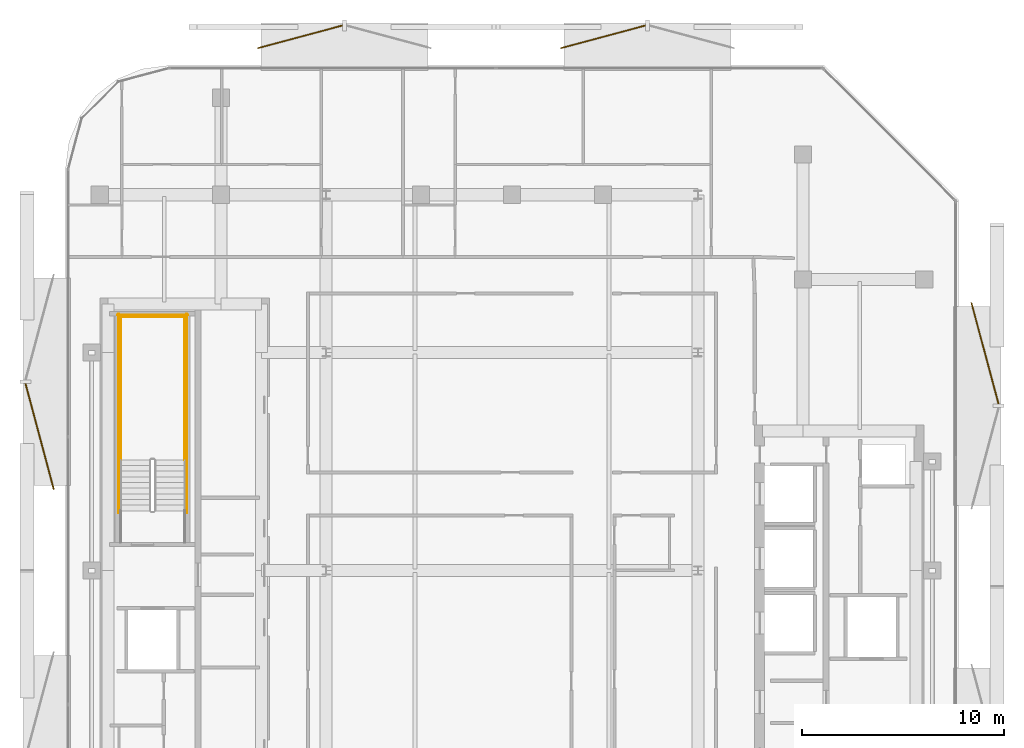
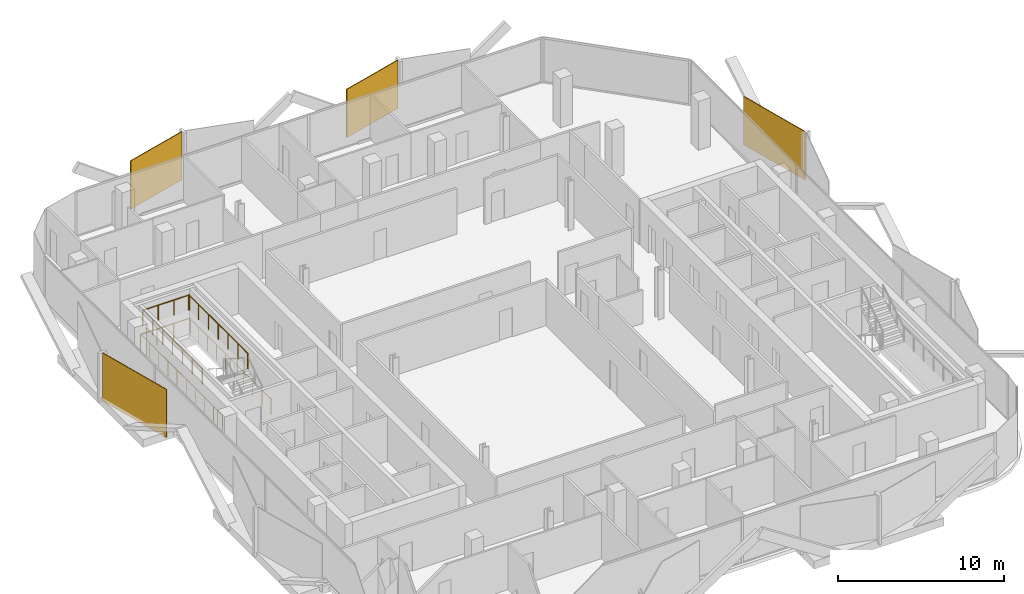
# One storey, part 15 of 15: 6 railings, 4 coverings.
"""IFC4 building model written with IfcOpenShell, lengths in metres."""

import ifcopenshell
import ifcopenshell.guid

model = None  # the IFC model being written
_history = None  # IfcOwnerHistory: only IFC2X3 demands one
_inside = {}  # id of a spatial element -> (the spatial element, [elements in it])
_under = {}  # id of a project, library or spatial element -> (it, [spatial elements below it])
_declared = {}  # id of a project -> (the project, [libraries it declares])
_typed = {}  # id of a type object -> (the type object, [elements of that type])
_made_of = {}  # id of a material, layer set ... -> (it, [elements and type objects made of it])


def new_model(schema):
    """Start an empty IFC model of exactly this schema.

    Asked for "IFC4X3", IfcOpenShell would pick the latest addendum, in which some entities
    have other attributes; the version numbers below select the first issue.
    IFC2X3 requires an IfcOwnerHistory on every rooted entity: one is made here for all.
    """
    global model, _history
    if schema == "IFC4X3":
        model = ifcopenshell.file(schema_version=(4, 3, 0, 0))
    else:
        model = ifcopenshell.file(schema=schema)
    _inside.clear()
    _under.clear()
    _declared.clear()
    _typed.clear()
    _made_of.clear()
    _history = None
    if model.schema == "IFC2X3":
        org = make("IfcOrganization", Name="unknown")
        user = make(
            "IfcPersonAndOrganization",
            ThePerson=make("IfcPerson", FamilyName="unknown"),
            TheOrganization=org,
        )
        app = make(
            "IfcApplication",
            ApplicationDeveloper=org,
            Version="unknown",
            ApplicationFullName="unknown",
            ApplicationIdentifier="unknown",
        )
        _history = make(
            "IfcOwnerHistory",
            OwningUser=user,
            OwningApplication=app,
            ChangeAction="ADDED",
            CreationDate=0,
        )
    return model


def make(cls, **values):
    """One entity of the class cls with the attributes given. An attribute that is None is left unset."""
    return model.create_entity(
        cls, **{name: value for name, value in values.items() if value is not None}
    )


def rooted(cls, **values):
    """An entity with a GlobalId (a new one), such as an element, a storey or a relation."""
    return make(cls, GlobalId=ifcopenshell.guid.new(), OwnerHistory=_history, **values)


def si_unit(unit_type, name, prefix=None):
    """IfcSIUnit, for example si_unit("LENGTHUNIT", "METRE", prefix="MILLI")."""
    return make("IfcSIUnit", UnitType=unit_type, Prefix=prefix, Name=name)


def assignment(units):
    """IfcUnitAssignment: the units of a project."""
    return None if units is None else make("IfcUnitAssignment", Units=units)


def point(xyz):
    """IfcCartesianPoint."""
    return None if xyz is None else make("IfcCartesianPoint", Coordinates=xyz)


def direction(xyz):
    """IfcDirection."""
    return None if xyz is None else make("IfcDirection", DirectionRatios=xyz)


def frame(location, z_axis=None, x_axis=None):
    """IfcAxis2Placement3D, a coordinate frame: its origin and axes. An axis left out is left unset."""
    return make(
        "IfcAxis2Placement3D",
        Location=point(location),
        Axis=direction(z_axis),
        RefDirection=direction(x_axis),
    )


def frame_2d(location, x_axis=None):
    """IfcAxis2Placement2D, a coordinate frame in the plane: its origin and x axis."""
    return make(
        "IfcAxis2Placement2D", Location=point(location), RefDirection=direction(x_axis)
    )


def origin():
    """The frame at (0, 0, 0) with its axes left unset."""
    return frame((0.0, 0.0, 0.0))


def origin_2d():
    """The frame at (0, 0) in the plane with its x axis left unset."""
    return frame_2d((0.0, 0.0))


def place(relative_to, where):
    """IfcLocalPlacement: puts the frame where relative to a parent placement (None: the world)."""
    return make(
        "IfcLocalPlacement", PlacementRelTo=relative_to, RelativePlacement=where
    )


def context(
    kind, dimensions, precision=None, world=None, true_north=None, identifier=None
):
    """IfcGeometricRepresentationContext, for example the 3D "Model" context."""
    return make(
        "IfcGeometricRepresentationContext",
        ContextIdentifier=identifier,
        ContextType=kind,
        CoordinateSpaceDimension=dimensions,
        Precision=precision,
        WorldCoordinateSystem=world,
        TrueNorth=true_north,
    )


def subcontext(parent, identifier, kind, view, scale=None):
    """IfcGeometricRepresentationSubContext, for example "Body" below "Model"."""
    return make(
        "IfcGeometricRepresentationSubContext",
        ContextIdentifier=identifier,
        ContextType=kind,
        ParentContext=parent,
        TargetScale=scale,
        TargetView=view,
    )


def project(units=None, contexts=None):
    """IfcProject with its units and contexts."""
    return rooted(
        "IfcProject",
        Name="project",
        RepresentationContexts=contexts,
        UnitsInContext=assignment(units),
    )


def spatial(cls, under=None, at=None, **own):
    """A site, building, storey or space (cls), placed at a placement, below another one or the project."""
    s = rooted(cls, ObjectPlacement=at, **own)
    if under is not None:
        _under.setdefault(under.id(), (under, []))[1].append(s)
    return s


def profile(cls, at=None, kind="AREA", **sizes):
    """A parametric profile (cls). Its sizes go by their IFC names, for example OverallWidth=200.0."""
    return make(cls, ProfileType=kind, Position=at, **sizes)


def rectangle(**sizes):
    """IfcRectangleProfileDef."""
    return profile("IfcRectangleProfileDef", **sizes)


def circle(**sizes):
    """IfcCircleProfileDef."""
    return profile("IfcCircleProfileDef", **sizes)


def extrude(swept, where, along, depth):
    """IfcExtrudedAreaSolid: the profile swept, set in the frame where, extruded along a direction by depth."""
    return make(
        "IfcExtrudedAreaSolid",
        SweptArea=swept,
        Position=where,
        ExtrudedDirection=direction(along),
        Depth=depth,
    )


def shape(context_of_items, identifier, shape_type, items):
    """IfcShapeRepresentation: the items that make up one representation, for example the "Body"."""
    return make(
        "IfcShapeRepresentation",
        ContextOfItems=context_of_items,
        RepresentationIdentifier=identifier,
        RepresentationType=shape_type,
        Items=items,
    )


def material(Name=None, Category=None):
    """IfcMaterial."""
    return make("IfcMaterial", Name=Name, Category=Category)


def layer(
    of_material, thickness, ventilated=None, Name=None, Category=None, Priority=None
):
    """IfcMaterialLayer: one layer of a wall or slab, of a material (None: an air gap)."""
    return make(
        "IfcMaterialLayer",
        Material=of_material,
        LayerThickness=thickness,
        IsVentilated=ventilated,
        Name=Name,
        Category=Category,
        Priority=Priority,
    )


def layer_set(layers, Name=None):
    """IfcMaterialLayerSet."""
    return make("IfcMaterialLayerSet", MaterialLayers=layers, LayerSetName=Name)


def made_of(thing, what):
    """Note that an element or type object is made of a material, layer set ...; save() writes the relation."""
    if what is not None:
        _made_of.setdefault(what.id(), (what, []))[1].append(thing)
    return thing


def type_object(cls, material=None, **own):
    """A type object (cls), such as IfcWallType, which elements share."""
    return made_of(rooted(cls, **own), material)


def element(
    cls,
    number,
    at=None,
    inside=None,
    cuts=None,
    type_object=None,
    material=None,
    context=None,
    identifier="Body",
    shape_type=None,
    held_by="IfcProductDefinitionShape",
    body=None,
    shapes=None,
    **own,
):
    """One element of the class cls, such as IfcWall. Its Tag is "e" and its number.

    at: its placement. inside: the storey or other place that contains it. cuts: it is an
    opening in that element (IfcRelVoidsElement). A single representation is given by context,
    identifier, shape_type and body (its items); several are given by shapes. held_by: the class
    of the entity that holds the representations. save() writes the other relations.
    """
    e = rooted(cls, Tag="e%d" % number, ObjectPlacement=at, **own)
    if body is not None:
        shapes = [shape(context, identifier, shape_type, body)]
    if shapes is not None:
        e.Representation = make(held_by, Representations=shapes)
    if inside is not None:
        _inside.setdefault(inside.id(), (inside, []))[1].append(e)
    if cuts is not None:
        rooted(
            "IfcRelVoidsElement", RelatingBuildingElement=cuts, RelatedOpeningElement=e
        )
    if type_object is not None:
        _typed.setdefault(type_object.id(), (type_object, []))[1].append(e)
    return made_of(e, material)


def aggregate(whole, parts):
    """IfcRelAggregates: a whole, such as a stair, and the parts it consists of."""
    return rooted("IfcRelAggregates", RelatingObject=whole, RelatedObjects=parts)


def save(model, path):
    """Write the relations noted so far, then the file.

    IfcRelAggregates (storeys below a building ...), IfcRelContainedInSpatialStructure (elements
    in a storey), IfcRelDefinesByType, IfcRelAssociatesMaterial and IfcRelDeclares: one each for
    every whole, place, type object, material and project.
    """
    for whole, parts in _under.values():
        aggregate(whole, parts)
    for where, things in _inside.values():
        rooted(
            "IfcRelContainedInSpatialStructure",
            RelatedElements=things,
            RelatingStructure=where,
        )
    for kind, things in _typed.values():
        rooted("IfcRelDefinesByType", RelatedObjects=things, RelatingType=kind)
    for what, things in _made_of.values():
        rooted("IfcRelAssociatesMaterial", RelatedObjects=things, RelatingMaterial=what)
    for by, libraries in _declared.values():
        rooted("IfcRelDeclares", RelatingContext=by, RelatedDefinitions=libraries)
    model.write(path)


model = new_model("IFC4")

# Units and contexts
model_context = context("Model", 3, precision=1e-05, world=origin(), true_north=direction((0.0, 1.0)))
body_context = subcontext(model_context, "Body", "Model", "MODEL_VIEW")
ifc_project = project(units=[si_unit("LENGTHUNIT", "METRE"), si_unit("AREAUNIT", "SQUARE_METRE"), si_unit("VOLUMEUNIT", "CUBIC_METRE"), si_unit("PLANEANGLEUNIT", "RADIAN"), si_unit("MASSUNIT", "GRAM", prefix="KILO")], contexts=[model_context])

# Site, building, storey
site_placement = place(None, origin())
site = spatial("IfcSite", under=ifc_project, at=site_placement, CompositionType="ELEMENT")
building_placement = place(site_placement, origin())
building = spatial("IfcBuilding", under=site, at=building_placement, Name="Khairoan Windgate Tower", CompositionType="ELEMENT")
storey_placement = place(building_placement, frame((0.0, 0.0, 251.199951171875)))
storey = spatial("IfcBuildingStorey", under=building, at=storey_placement, Name="L59", CompositionType="ELEMENT", Elevation=251.199951171875)

# Coverings
ifc_material_1 = material(Name="Anodised Bronze Aluminium 6063-T6", Category="aluminium")
ifc_layer = layer(ifc_material_1, 0.054931640625, Name="Anodised Bronze Aluminium 6063-T6")
ifc_layer_set = layer_set([ifc_layer], Name="Anodised Bronze Aluminium 6063-T6")
covering_type = type_object("IfcCoveringType", Name="Perforated Bronze-Ceramic Folded Solar Screen Cladding BSC-1", PredefinedType="CLADDING", material=ifc_layer_set)
covering_1_placement = place(storey_placement, frame((-23.378662109375, 6.6376953125, -0.099853515625), z_axis=(0.0, 0.0, 1.0), x_axis=(-0.258819045103, 0.965925826289, 0.0)))
element("IfcCovering", 1, at=covering_1_placement, inside=storey, type_object=covering_type, Name="L59 Folded Bronze Solar Screen Facet 404L", PredefinedType="CLADDING", context=body_context, shape_type="SweptSolid", body=[
    extrude(rectangle(XDim=5.419921875, YDim=0.054931640625, at=origin_2d()), origin(), (0.0, 0.0, 1.0), 3.5400390625),
])
for number, where, z_axis, x_axis, name in (
    (2, (-10.48291015625, 26.417236328125, -0.099853515625), (0.0, 0.0, 1.0), (0.965925826289, 0.258819045103, 0.0), "L59 Folded Bronze Solar Screen Facet 405L"),
    (3, (4.513427734375, 26.417236328125, -0.099853515625), (0.0, 0.0, 1.0), (0.965925826289, 0.258819045103, 0.0), "L59 Folded Bronze Solar Screen Facet 406L"),
):
    element("IfcCovering", number, at=place(storey_placement, frame(where, z_axis=z_axis, x_axis=x_axis)), inside=storey, type_object=covering_type, Name=name, PredefinedType="CLADDING", context=body_context, shape_type="SweptSolid", body=[
        extrude(rectangle(XDim=4.34912109375, YDim=0.054931640625, at=origin_2d()), origin(), (0.0, 0.0, 1.0), 3.5400390625),
    ])
covering_2_placement = place(storey_placement, frame((23.408447265625, 10.75048828125, -0.099853515625), z_axis=(0.0, 0.0, 1.0), x_axis=(0.258819045103, -0.965925826289, 0.0)))
element("IfcCovering", 4, at=covering_2_placement, inside=storey, type_object=covering_type, Name="L59 Folded Bronze Solar Screen Facet 407L", PredefinedType="CLADDING", context=body_context, shape_type="SweptSolid", body=[
    extrude(rectangle(XDim=5.18994140625, YDim=0.054931640625, at=origin_2d()), origin(), (0.0, 0.0, 1.0), 3.5400390625),
])

# Railings
ifc_material_2 = material(Name="Steel S355", Category="steel")
railing_type = type_object("IfcRailingType", Name="Stairwell Safety Guardrail SGR-1150", PredefinedType="GUARDRAIL", material=ifc_material_2)
for number, where, name in (
    (5, (-16.199951171875, 5.47998046875, 1.800048828125), "L59 ST2 stair guard 3"),
    (6, (-19.3701171875, 5.47998046875, 1.800048828125), "L59 ST2 stair guard 4"),
):
    element("IfcRailing", number, at=place(storey_placement, frame(where)), inside=storey, type_object=railing_type, Name=name, PredefinedType="GUARDRAIL", context=body_context, shape_type="SweptSolid", body=[
        extrude(circle(Radius=0.02392578125, at=origin_2d()), frame((0.0, 0.0, 1.1259765625), z_axis=(0.0, 1.0, 0.0), x_axis=(-1.0, 0.0, 0.0)), (0.0, 0.0, 1.0), 7.1201171875),
        extrude(circle(Radius=0.02099609375, at=origin_2d()), origin(), (0.0, 0.0, 1.0), 1.101806640625),
        extrude(circle(Radius=0.02099609375, at=origin_2d()), frame((0.0, 1.186767578125, 0.0)), (0.0, 0.0, 1.0), 1.101806640625),
        extrude(circle(Radius=0.02099609375, at=origin_2d()), frame((0.0, 2.373291015625, 0.0)), (0.0, 0.0, 1.0), 1.101806640625),
        extrude(circle(Radius=0.02099609375, at=origin_2d()), frame((0.0, 3.56005859375, 0.0)), (0.0, 0.0, 1.0), 1.101806640625),
        extrude(circle(Radius=0.02099609375, at=origin_2d()), frame((0.0, 4.746826171875, 0.0)), (0.0, 0.0, 1.0), 1.101806640625),
        extrude(circle(Radius=0.02099609375, at=origin_2d()), frame((0.0, 5.933349609375, 0.0)), (0.0, 0.0, 1.0), 1.101806640625),
        extrude(circle(Radius=0.02099609375, at=origin_2d()), frame((0.0, 7.1201171875, 0.0)), (0.0, 0.0, 1.0), 1.101806640625),
    ])
railing_1_placement = place(storey_placement, frame((-16.14990234375, 12.550048828125, 1.800048828125)))
element("IfcRailing", 7, at=railing_1_placement, inside=storey, type_object=railing_type, Name="L59 ST2 stair guard 5", PredefinedType="GUARDRAIL", context=body_context, shape_type="SweptSolid", body=[
    extrude(circle(Radius=0.02392578125, at=origin_2d()), frame((0.0, 0.0, 1.1259765625), z_axis=(-1.0, 0.0, 0.0), x_axis=(0.0, -1.0, 0.0)), (0.0, 0.0, 1.0), 3.27001953125),
    extrude(circle(Radius=0.02099609375, at=origin_2d()), origin(), (0.0, 0.0, 1.0), 1.101806640625),
    extrude(circle(Radius=0.02099609375, at=origin_2d()), frame((-1.090087890625, 0.0, 0.0)), (0.0, 0.0, 1.0), 1.101806640625),
    extrude(circle(Radius=0.02099609375, at=origin_2d()), frame((-2.179931640625, 0.0, 0.0)), (0.0, 0.0, 1.0), 1.101806640625),
    extrude(circle(Radius=0.02099609375, at=origin_2d()), frame((-3.27001953125, 0.0, 0.0)), (0.0, 0.0, 1.0), 1.101806640625),
])
for number, where, name in (
    (8, (-16.10009765625, 2.860107421875, 0.0), "L59 ST2 stair guard 10"),
    (9, (-19.469970703125, 2.860107421875, 0.0), "L59 ST2 stair guard 11"),
):
    element("IfcRailing", number, at=place(storey_placement, frame(where)), inside=storey, type_object=railing_type, Name=name, PredefinedType="GUARDRAIL", context=body_context, shape_type="SweptSolid", body=[
        extrude(circle(Radius=0.02392578125, at=origin_2d()), frame((0.0, 0.0, 1.1259765625), z_axis=(0.0, 1.0, 0.0), x_axis=(-1.0, 0.0, 0.0)), (0.0, 0.0, 1.0), 9.83984375),
        extrude(circle(Radius=0.02099609375, at=origin_2d()), origin(), (0.0, 0.0, 1.0), 1.101806640625),
        extrude(circle(Radius=0.02099609375, at=origin_2d()), frame((0.0, 1.09326171875, 0.0)), (0.0, 0.0, 1.0), 1.101806640625),
        extrude(circle(Radius=0.02099609375, at=origin_2d()), frame((0.0, 2.1865234375, 0.0)), (0.0, 0.0, 1.0), 1.101806640625),
        extrude(circle(Radius=0.02099609375, at=origin_2d()), frame((0.0, 3.280029296875, 0.0)), (0.0, 0.0, 1.0), 1.101806640625),
        extrude(circle(Radius=0.02099609375, at=origin_2d()), frame((0.0, 4.373291015625, 0.0)), (0.0, 0.0, 1.0), 1.101806640625),
        extrude(circle(Radius=0.02099609375, at=origin_2d()), frame((0.0, 5.466552734375, 0.0)), (0.0, 0.0, 1.0), 1.101806640625),
        extrude(circle(Radius=0.02099609375, at=origin_2d()), frame((0.0, 6.559814453125, 0.0)), (0.0, 0.0, 1.0), 1.101806640625),
        extrude(circle(Radius=0.02099609375, at=origin_2d()), frame((0.0, 7.6533203125, 0.0)), (0.0, 0.0, 1.0), 1.101806640625),
        extrude(circle(Radius=0.02099609375, at=origin_2d()), frame((0.0, 8.74658203125, 0.0)), (0.0, 0.0, 1.0), 1.101806640625),
        extrude(circle(Radius=0.02099609375, at=origin_2d()), frame((0.0, 9.83984375, 0.0)), (0.0, 0.0, 1.0), 1.101806640625),
    ])
railing_2_placement = place(storey_placement, frame((-16.050048828125, 12.64990234375, 0.0)))
element("IfcRailing", 10, at=railing_2_placement, inside=storey, type_object=railing_type, Name="L59 ST2 stair guard 12", PredefinedType="GUARDRAIL", context=body_context, shape_type="SweptSolid", body=[
    extrude(circle(Radius=0.02392578125, at=origin_2d()), frame((0.0, 0.0, 1.1259765625), z_axis=(-1.0, 0.0, 0.0), x_axis=(0.0, -1.0, 0.0)), (0.0, 0.0, 1.0), 3.469970703125),
    extrude(circle(Radius=0.02099609375, at=origin_2d()), origin(), (0.0, 0.0, 1.0), 1.101806640625),
    extrude(circle(Radius=0.02099609375, at=origin_2d()), frame((-1.15673828125, 0.0, 0.0)), (0.0, 0.0, 1.0), 1.101806640625),
    extrude(circle(Radius=0.02099609375, at=origin_2d()), frame((-2.313232421875, 0.0, 0.0)), (0.0, 0.0, 1.0), 1.101806640625),
    extrude(circle(Radius=0.02099609375, at=origin_2d()), frame((-3.469970703125, 0.0, 0.0)), (0.0, 0.0, 1.0), 1.101806640625),
])

save(model, "model.ifc")
